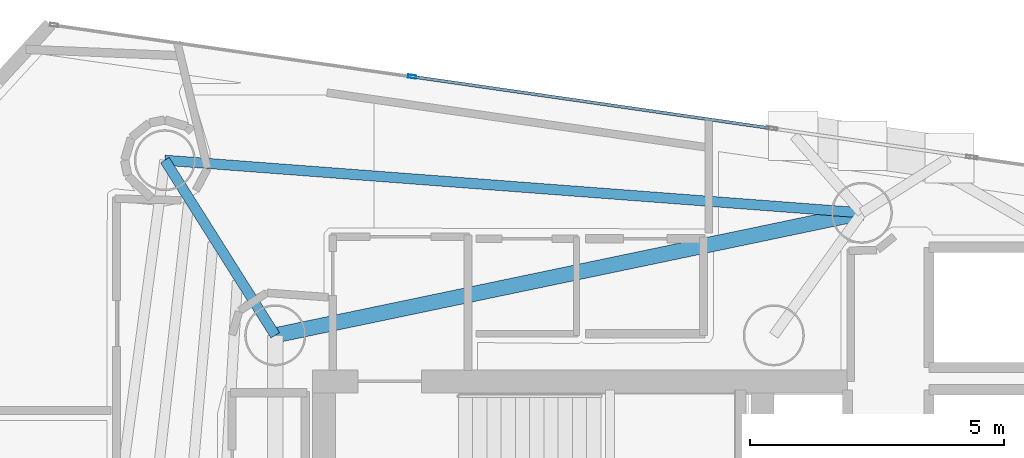
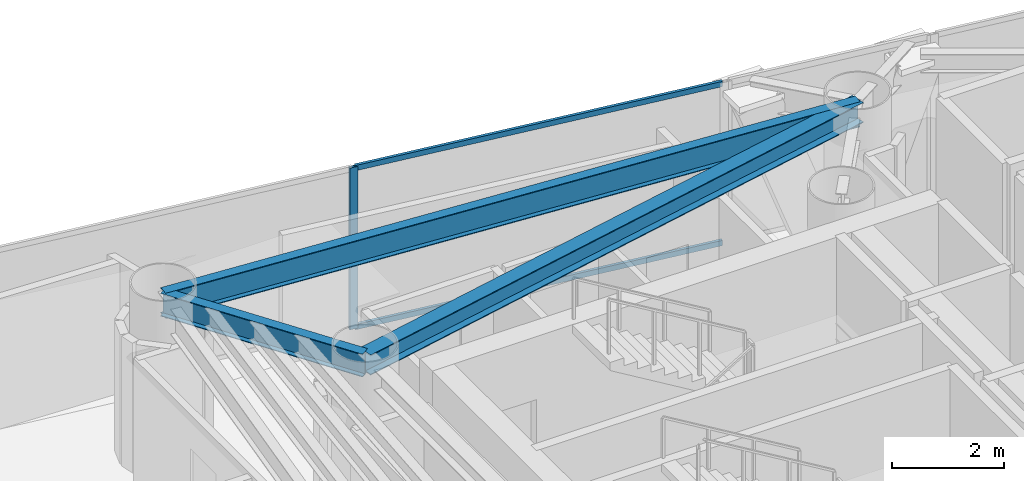
# One storey, part 11 of 23: 3 beams, 3 members, 1 element without a shape of its own.
"""IFC4 building model written with IfcOpenShell, lengths in metres."""

from ifc_helpers import new_model, si_unit, direction, frame, origin, origin_2d, place, context, subcontext, project, spatial, hollow_rectangle, i_section, extrude, material, layer, layer_set, material_profile, profile_set, type_object, element, aggregate, save


model = new_model("IFC4")

# Units and contexts
model_context = context("Model", 3, precision=1e-05, world=origin(), true_north=direction((0.0, 1.0)))
body_context = subcontext(model_context, "Body", "Model", "MODEL_VIEW")
ifc_project = project(units=[si_unit("LENGTHUNIT", "METRE"), si_unit("AREAUNIT", "SQUARE_METRE"), si_unit("VOLUMEUNIT", "CUBIC_METRE"), si_unit("PLANEANGLEUNIT", "RADIAN"), si_unit("MASSUNIT", "GRAM", prefix="KILO")], contexts=[model_context])

# Site, building, storey
site_placement = place(None, origin())
site = spatial("IfcSite", under=ifc_project, at=site_placement, CompositionType="ELEMENT")
building_placement = place(site_placement, origin())
building = spatial("IfcBuilding", under=site, at=building_placement, Name="Qianvela Tower", CompositionType="ELEMENT")
storey_placement = place(building_placement, frame((0.0, 0.0, 215.10009765625)))
storey = spatial("IfcBuildingStorey", under=building, at=storey_placement, Name="L55", CompositionType="ELEMENT", Elevation=215.10009765625)

# Beams
ifc_material_1 = material(Name="Steel Q355B", Category="steel")
ifc_material_profile_1 = material_profile(ifc_material_1, i_section(OverallWidth=0.300048828125, OverallDepth=0.43994140625, WebThickness=0.010986328125, FlangeThickness=0.01806640625, at=origin_2d()), Name="HM440x300x11x18")
ifc_profile_set_1 = profile_set([ifc_material_profile_1], Name="Steel Q355B")
beam_type_1 = type_object("IfcBeamType", Name="BM-HM440-COLL", PredefinedType="BEAM", material=ifc_profile_set_1)
beam_1_placement = place(storey_placement, frame((28.60009765625, 33.550048828125, 3.2978515625), z_axis=(0.978884270582, 0.204415226456, 0.0), x_axis=(-0.204415226456, 0.978884270582, 0.0)))
element("IfcBeam", 1, at=beam_1_placement, inside=storey, type_object=beam_type_1, Name="L55 Perimeter Ring Tie Girder 1B", PredefinedType="BEAM", context=body_context, shape_type="SweptSolid", body=[
    extrude(i_section(OverallWidth=0.300048828125, OverallDepth=0.43994140625, WebThickness=0.010986328125, FlangeThickness=0.01806640625, at=origin_2d()), origin(), (0.0, 0.0, 1.0), 11.77978515625),
])
ifc_material_2 = material(Name="Steel Q355B", Category="steel")
ifc_material_profile_2 = material_profile(ifc_material_2, i_section(OverallWidth=0.199951171875, OverallDepth=0.5, WebThickness=0.010009765625, FlangeThickness=0.01611328125, at=origin_2d()), Name="HN500x200x10x16")
ifc_profile_set_2 = profile_set([ifc_material_profile_2], Name="Steel Q355B")
beam_type_2 = type_object("IfcBeamType", Name="BM-HN500-GIRD", PredefinedType="BEAM", material=ifc_profile_set_2)
beam_2_placement = place(storey_placement, frame((28.60009765625, 33.550048828125, 3.267822265625), z_axis=(-0.533177693809, 0.846003278258, 0.0), x_axis=(-0.846003278258, -0.533177693809, 0.0)))
element("IfcBeam", 2, at=beam_2_placement, inside=storey, type_object=beam_type_2, Name="L55 Radial Primary Floor Girder 3", PredefinedType="BEAM", context=body_context, shape_type="SweptSolid", body=[
    extrude(i_section(OverallWidth=0.199951171875, OverallDepth=0.5, WebThickness=0.010009765625, FlangeThickness=0.01611328125, at=origin_2d()), origin(), (0.0, 0.0, 1.0), 4.068359375),
])
ifc_material_3 = material(Name="Steel Q355B", Category="steel")
ifc_material_profile_3 = material_profile(ifc_material_3, i_section(OverallWidth=0.199951171875, OverallDepth=0.550048828125, WebThickness=0.010009765625, FlangeThickness=0.01611328125, at=origin_2d()), Name="HN550x200x10x16")
ifc_profile_set_3 = profile_set([ifc_material_profile_3], Name="Steel Q355B")
beam_type_3 = type_object("IfcBeamType", Name="BM-HN550-GIRD", PredefinedType="BEAM", material=ifc_profile_set_3)
beam_3_placement = place(storey_placement, frame((40.131103515625, 35.9580078125, 3.242919921875), z_axis=(-0.997164346928, 0.075254669065, 0.0), x_axis=(-0.075254669065, -0.997164346928, 0.0)))
element("IfcBeam", 3, at=beam_3_placement, inside=storey, type_object=beam_type_3, Name="L55 Perimeter Ring Spandrel Girder 2", PredefinedType="BEAM", context=body_context, shape_type="SweptSolid", body=[
    extrude(i_section(OverallWidth=0.199951171875, OverallDepth=0.550048828125, WebThickness=0.010009765625, FlangeThickness=0.01611328125, at=origin_2d()), origin(), (0.0, 0.0, 1.0), 13.7392578125),
])

# Curtain wall, members
ifc_material_4 = material(Name="Anodised Architectural Aluminium and Low-E Glass", Category="aluminium")
ifc_layer = layer(ifc_material_4, 0.159912109375)
ifc_layer_set = layer_set([ifc_layer], Name="Anodised Architectural Aluminium and Low-E Glass")
curtain_wall_type = type_object("IfcCurtainWallType", Name="CW-COLIV-Z56", PredefinedType="USERDEFINED", material=ifc_layer_set)
curtain_wall_placement = place(storey_placement, origin())
curtain_wall = element("IfcCurtainWall", 4, at=curtain_wall_placement, inside=storey, type_object=curtain_wall_type, Name="L55 CW-COLIV-Z56 Curtain Wall 02C", ObjectType="CURTAIN_WALL_SYSTEM", PredefinedType="USERDEFINED")
ifc_material_5 = material(Name="Anodised Architectural Aluminium 6063-T6", Category="aluminium")
ifc_material_profile_4 = material_profile(ifc_material_5, hollow_rectangle(XDim=0.06494140625, YDim=0.159912109375, WallThickness=0.0048828125, at=origin_2d()), Name="ALU-MULL-65x160")
ifc_profile_set_4 = profile_set([ifc_material_profile_4], Name="Anodised Architectural Aluminium 6063-T6")
member_type_1 = type_object("IfcMemberType", Name="CW-COLIV-Z56-MULL", PredefinedType="MULLION", material=ifc_profile_set_4)
member_1_placement = place(storey_placement, frame((31.2919921875, 38.635009765625, 0.0), z_axis=(0.0, 0.0, 1.0), x_axis=(-0.142508771551, -0.989793539093, 0.0)))
member_1 = element("IfcMember", 5, at=member_1_placement, type_object=member_type_1, Name="CW-5 mullion 2", PredefinedType="MULLION", context=body_context, shape_type="SweptSolid", body=[
    extrude(hollow_rectangle(XDim=0.06494140625, YDim=0.159912109375, WallThickness=0.0048828125, at=origin_2d()), origin(), (0.0, 0.0, 1.0), 3.52001953125),
])
ifc_material_6 = material(Name="Anodised Architectural Aluminium 6063-T6", Category="aluminium")
ifc_material_profile_5 = material_profile(ifc_material_6, hollow_rectangle(XDim=0.06005859375, YDim=0.114990234375, WallThickness=0.00390625, at=origin_2d()), Name="ALU-TRAN-60x115")
ifc_profile_set_5 = profile_set([ifc_material_profile_5], Name="Anodised Architectural Aluminium 6063-T6")
member_type_2 = type_object("IfcMemberType", Name="CW-COLIV-Z56-TRAN", PredefinedType="USERDEFINED", material=ifc_profile_set_5)
member_2_placement = place(storey_placement, frame((38.299560546875, 37.6259765625, 0.02978515625), z_axis=(-0.989792304862, 0.14251734363, 0.0), x_axis=(-0.14251734363, -0.989792304862, 0.0)))
member_2 = element("IfcMember", 6, at=member_2_placement, type_object=member_type_2, Name="CW-5 transom 1.1", ObjectType="TRANSOM", PredefinedType="USERDEFINED", context=body_context, shape_type="SweptSolid", body=[
    extrude(hollow_rectangle(XDim=0.06005859375, YDim=0.114990234375, WallThickness=0.00390625, at=origin_2d()), origin(), (0.0, 0.0, 1.0), 7.047607421875),
])
member_3_placement = place(storey_placement, frame((38.299560546875, 37.6259765625, 3.489990234375), z_axis=(-0.989792304862, 0.14251734363, 0.0), x_axis=(-0.14251734363, -0.989792304862, 0.0)))
member_3 = element("IfcMember", 7, at=member_3_placement, type_object=member_type_2, Name="CW-5 transom 1.2", ObjectType="TRANSOM", PredefinedType="USERDEFINED", context=body_context, shape_type="SweptSolid", body=[
    extrude(hollow_rectangle(XDim=0.06005859375, YDim=0.114990234375, WallThickness=0.00390625, at=origin_2d()), origin(), (0.0, 0.0, 1.0), 7.047607421875),
])
aggregate(curtain_wall, [member_1, member_2, member_3])

save(model, "model.ifc")
